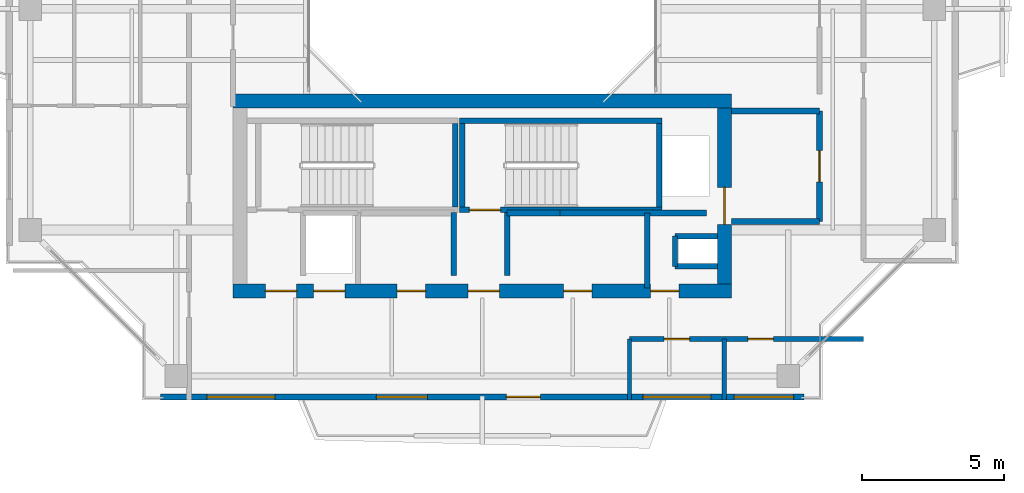
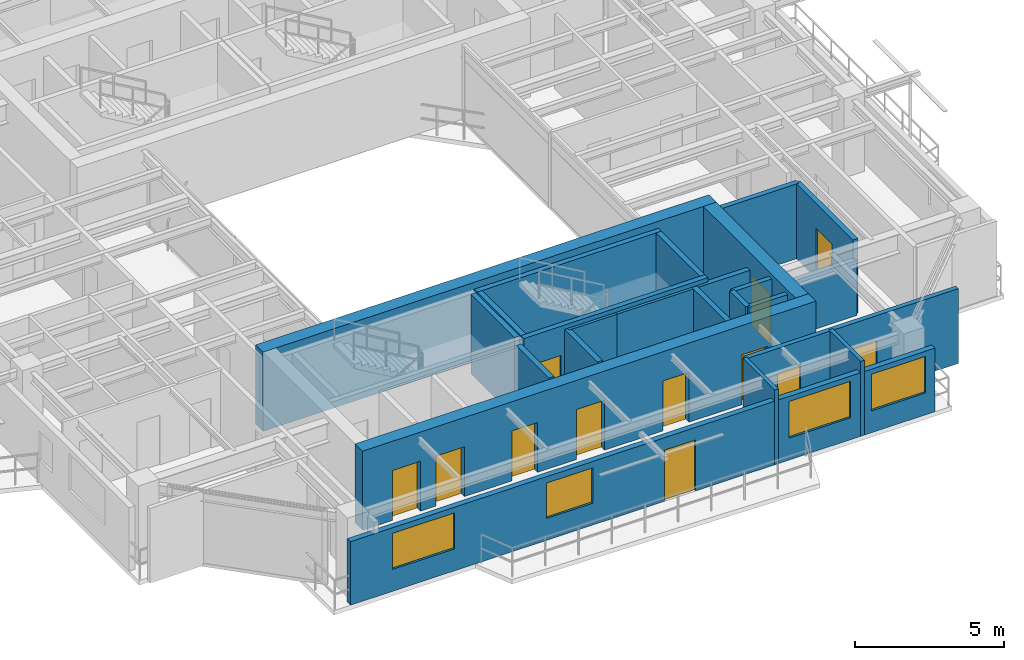
# One storey, part 10 of 16: 23 walls, 12 doors, 4 windows, 16 openings.
"""IFC4 building model written with IfcOpenShell, lengths in metres."""

from ifc_helpers import new_model, si_unit, direction, frame, frame_2d, origin, place, context, subcontext, project, spatial, rectangle, extrude, source, transform, mapped, material, layer, layer_set, type_object, element, fill, save


model = new_model("IFC4")

# Units and contexts
model_context = context("Model", 3, precision=1e-05, world=origin(), true_north=direction((0.0, 1.0)))
body_context = subcontext(model_context, "Body", "Model", "MODEL_VIEW")
ifc_project = project(units=[si_unit("LENGTHUNIT", "METRE"), si_unit("AREAUNIT", "SQUARE_METRE"), si_unit("VOLUMEUNIT", "CUBIC_METRE"), si_unit("PLANEANGLEUNIT", "RADIAN"), si_unit("MASSUNIT", "GRAM", prefix="KILO"), si_unit("THERMODYNAMICTEMPERATUREUNIT", "KELVIN"), si_unit("POWERUNIT", "WATT")], contexts=[model_context])

# Site, building, storey
site_placement = place(None, origin())
site = spatial("IfcSite", under=ifc_project, at=site_placement, CompositionType="ELEMENT")
building_placement = place(site_placement, origin())
building = spatial("IfcBuilding", under=site, at=building_placement, Name="Qiaomeng Ring Towers", CompositionType="ELEMENT")
storey_placement = place(building_placement, frame((0.0, 0.0, 197.0)))
storey = spatial("IfcBuildingStorey", under=building, at=storey_placement, Name="L57", CompositionType="ELEMENT", Elevation=197.0)

# Wall, openings, windows, door
ifc_material_1 = material(Name="Precast concrete C40", Category="concrete")
ifc_layer_1 = layer(ifc_material_1, 0.219970703125, Name="Precast concrete C40")
ifc_layer_set_1 = layer_set([ifc_layer_1], Name="Precast concrete C40")
wall_type_1 = type_object("IfcWallType", Name="ARC-WL-EW2", PredefinedType="STANDARD", material=ifc_layer_set_1)
wall_1_placement = place(storey_placement, frame((7.64990234375, 6.31005859375, 0.0), z_axis=(0.0, 0.0, 1.0), x_axis=(1.0, 0.0, 0.0)))
wall_1 = element("IfcWall", 1, at=wall_1_placement, inside=storey, type_object=wall_type_1, Name="L57 Tower 1 S Exterior Wall", PredefinedType="STANDARD", context=body_context, shape_type="SweptSolid", body=[
    extrude(rectangle(XDim=22.7001953125, YDim=0.219970703125, at=frame_2d((11.35009765625, 0.0))), origin(), (0.0, 0.0, 1.0), 2.610107421875),
])
opening_1_placement = place(wall_1_placement, frame((12.199951171875, 0.0, 0.0)))
opening_1 = element("IfcOpeningElement", 2, at=opening_1_placement, cuts=wall_1, Name="Opening BD1", PredefinedType="OPENING", context=body_context, shape_type="SweptSolid", body=[
    extrude(rectangle(XDim=1.199951171875, YDim=2.10009765625, at=frame_2d((0.60009765625, 1.050048828125))), frame((0.0, 0.119873046875, 0.0), z_axis=(0.0, -1.0, 0.0), x_axis=(1.0, 0.0, 0.0)), (0.0, 0.0, 1.0), 0.239990234375),
])
opening_2_placement = place(wall_1_placement, frame((1.636962890625, 0.0, 0.89990234375)))
opening_2 = element("IfcOpeningElement", 3, at=opening_2_placement, cuts=wall_1, Name="Opening WN6", PredefinedType="OPENING", context=body_context, shape_type="SweptSolid", body=[
    extrude(rectangle(XDim=2.39990234375, YDim=1.47998046875, at=frame_2d((1.199951171875, 0.739990234375))), frame((0.0, 0.119873046875, 0.0), z_axis=(0.0, -1.0, 0.0), x_axis=(1.0, 0.0, 0.0)), (0.0, 0.0, 1.0), 0.239990234375),
])
opening_3_placement = place(wall_1_placement, frame((7.612060546875, 0.0, 0.89990234375)))
opening_3 = element("IfcOpeningElement", 4, at=opening_3_placement, cuts=wall_1, Name="Opening WN1", PredefinedType="OPENING", context=body_context, shape_type="SweptSolid", body=[
    extrude(rectangle(XDim=1.800048828125, YDim=1.449951171875, at=frame_2d((0.89990234375, 0.72509765625))), frame((0.0, 0.119873046875, 0.0), z_axis=(0.0, -1.0, 0.0), x_axis=(1.0, 0.0, 0.0)), (0.0, 0.0, 1.0), 0.239990234375),
])
opening_4_placement = place(wall_1_placement, frame((20.237548828125, 0.0, 0.89990234375)))
opening_4 = element("IfcOpeningElement", 5, at=opening_4_placement, cuts=wall_1, Name="Opening WN4", PredefinedType="OPENING", context=body_context, shape_type="SweptSolid", body=[
    extrude(rectangle(XDim=2.10009765625, YDim=1.5, at=frame_2d((1.050048828125, 0.75))), frame((0.0, 0.119873046875, 0.0), z_axis=(0.0, -1.0, 0.0), x_axis=(1.0, 0.0, 0.0)), (0.0, 0.0, 1.0), 0.239990234375),
])
opening_5_placement = place(wall_1_placement, frame((17.02001953125, 0.0, 0.89990234375)))
opening_5 = element("IfcOpeningElement", 6, at=opening_5_placement, cuts=wall_1, Name="Opening WN6", PredefinedType="OPENING", context=body_context, shape_type="SweptSolid", body=[
    extrude(rectangle(XDim=2.39990234375, YDim=1.5, at=frame_2d((1.199951171875, 0.75))), frame((0.0, 0.119873046875, 0.0), z_axis=(0.0, -1.0, 0.0), x_axis=(1.0, 0.0, 0.0)), (0.0, 0.0, 1.0), 0.239990234375),
])
ifc_material_2 = material(Name="Low-E dark-grey laminated double glazing", Category="glass")
window_type_1 = type_object("IfcWindowType", Name="ARC-WN-4", PartitioningType="TRIPLE_PANEL_VERTICAL", PredefinedType="WINDOW", material=ifc_material_2)
shared_shape_1 = source(origin(), body_context, "Body", "SweptSolid", [
    extrude(rectangle(XDim=2.10009765625, YDim=1.5, at=frame_2d((1.050048828125, 0.75))), frame((0.0, 0.030029296875, 0.0), z_axis=(0.0, -1.0, 0.0), x_axis=(1.0, 0.0, 0.0)), (0.0, 0.0, 1.0), 0.06005859375),
])
window_1_placement = place(opening_4_placement, origin())
window_1 = element("IfcWindow", 7, at=window_1_placement, inside=storey, type_object=window_type_1, Name="L57 Exterior Window WN4", OverallHeight=1.5, OverallWidth=2.10009765625, PartitioningType="TRIPLE_PANEL_VERTICAL", PredefinedType="WINDOW", context=body_context, shape_type="MappedRepresentation", body=[
    mapped(shared_shape_1, transform((0.0, 0.0, 0.0), x_axis=(1.0, 0.0, 0.0), y_axis=(0.0, 1.0, 0.0), z_axis=(0.0, 0.0, 1.0), scale=1.0)),
])
fill(opening_4, window_1)
window_type_2 = type_object("IfcWindowType", Name="ARC-WN-1", PartitioningType="DOUBLE_PANEL_VERTICAL", PredefinedType="WINDOW", material=ifc_material_2)
shared_shape_2 = source(origin(), body_context, "Body", "SweptSolid", [
    extrude(rectangle(XDim=1.800048828125, YDim=1.449951171875, at=frame_2d((0.89990234375, 0.72509765625))), frame((0.0, 0.030029296875, 0.0), z_axis=(0.0, -1.0, 0.0), x_axis=(1.0, 0.0, 0.0)), (0.0, 0.0, 1.0), 0.06005859375),
])
window_2_placement = place(opening_3_placement, origin())
window_2 = element("IfcWindow", 8, at=window_2_placement, inside=storey, type_object=window_type_2, Name="L57 Exterior Window WN1", OverallHeight=1.449951171875, OverallWidth=1.800048828125, PartitioningType="DOUBLE_PANEL_VERTICAL", PredefinedType="WINDOW", context=body_context, shape_type="MappedRepresentation", body=[
    mapped(shared_shape_2, transform((0.0, 0.0, 0.0), x_axis=(1.0, 0.0, 0.0), y_axis=(0.0, 1.0, 0.0), z_axis=(0.0, 0.0, 1.0), scale=1.0)),
])
fill(opening_3, window_2)
window_type_3 = type_object("IfcWindowType", Name="ARC-WN-6", PartitioningType="TRIPLE_PANEL_VERTICAL", PredefinedType="WINDOW", material=ifc_material_2)
shared_shape_3 = source(origin(), body_context, "Body", "SweptSolid", [
    extrude(rectangle(XDim=2.39990234375, YDim=1.47998046875, at=frame_2d((1.199951171875, 0.739990234375))), frame((0.0, 0.030029296875, 0.0), z_axis=(0.0, -1.0, 0.0), x_axis=(1.0, 0.0, 0.0)), (0.0, 0.0, 1.0), 0.06005859375),
])
window_3_placement = place(opening_2_placement, origin())
window_3 = element("IfcWindow", 9, at=window_3_placement, inside=storey, type_object=window_type_3, Name="L57 Exterior Window WN6", OverallHeight=1.47998046875, OverallWidth=2.39990234375, PartitioningType="TRIPLE_PANEL_VERTICAL", PredefinedType="WINDOW", context=body_context, shape_type="MappedRepresentation", body=[
    mapped(shared_shape_3, transform((0.0, 0.0, 0.0), x_axis=(1.0, 0.0, 0.0), y_axis=(0.0, 1.0, 0.0), z_axis=(0.0, 0.0, 1.0), scale=1.0)),
])
fill(opening_2, window_3)
door_type_1 = type_object("IfcDoorType", Name="ARC-DR-BD1", OperationType="NOTDEFINED", PredefinedType="DOOR", material=ifc_material_2)
shared_shape_4 = source(origin(), body_context, "Body", "SweptSolid", [
    extrude(rectangle(XDim=1.199951171875, YDim=2.10009765625, at=frame_2d((0.60009765625, 1.050048828125))), frame((0.0, 0.02490234375, 0.0), z_axis=(0.0, -1.0, 0.0), x_axis=(1.0, 0.0, 0.0)), (0.0, 0.0, 1.0), 0.050048828125),
])
door_1_placement = place(opening_1_placement, frame((1.199951171875, 0.0, 0.0), z_axis=(0.0, 0.0, 1.0), x_axis=(-1.0, 0.0, 0.0)))
door_1 = element("IfcDoor", 10, at=door_1_placement, inside=storey, type_object=door_type_1, Name="L57 S Balcony Glazed Door", OperationType="SINGLE_SWING_LEFT", OverallHeight=2.10009765625, OverallWidth=1.199951171875, PredefinedType="DOOR", context=body_context, shape_type="MappedRepresentation", body=[
    mapped(shared_shape_4, transform((0.0, 0.0, 0.0), x_axis=(1.0, 0.0, 0.0), y_axis=(0.0, 1.0, 0.0), z_axis=(0.0, 0.0, 1.0), scale=1.0)),
])
fill(opening_1, door_1)
shared_shape_5 = source(origin(), body_context, "Body", "SweptSolid", [
    extrude(rectangle(XDim=2.39990234375, YDim=1.5, at=frame_2d((1.199951171875, 0.75))), frame((0.0, 0.030029296875, 0.0), z_axis=(0.0, -1.0, 0.0), x_axis=(1.0, 0.0, 0.0)), (0.0, 0.0, 1.0), 0.06005859375),
])
window_4_placement = place(opening_5_placement, origin())
window_4 = element("IfcWindow", 11, at=window_4_placement, inside=storey, type_object=window_type_3, Name="L57 Exterior Window WN6", OverallHeight=1.5, OverallWidth=2.39990234375, PartitioningType="TRIPLE_PANEL_VERTICAL", PredefinedType="WINDOW", context=body_context, shape_type="MappedRepresentation", body=[
    mapped(shared_shape_5, transform((0.0, 0.0, 0.0), x_axis=(1.0, 0.0, 0.0), y_axis=(0.0, 1.0, 0.0), z_axis=(0.0, 0.0, 1.0), scale=1.0)),
])
fill(opening_5, window_4)

# Walls
ifc_material_3 = material(Name="Autoclaved aerated concrete block", Category="concrete")
ifc_layer_2 = layer(ifc_material_3, 0.199951171875, Name="Autoclaved aerated concrete block")
ifc_layer_set_2 = layer_set([ifc_layer_2], Name="Autoclaved aerated concrete block")
wall_type_2 = type_object("IfcWallType", Name="ARC-WL-PW1", PredefinedType="PARTITIONING", material=ifc_layer_set_2)
wall_2_placement = place(storey_placement, frame((27.800048828125, 16.39990234375, 0.0), z_axis=(0.0, 0.0, 1.0), x_axis=(1.0, 0.0, 0.0)))
element("IfcWall", 12, at=wall_2_placement, inside=storey, type_object=wall_type_2, Name="L57 Interior Wall PW1", PredefinedType="PARTITIONING", context=body_context, shape_type="SweptSolid", body=[
    extrude(rectangle(XDim=3.099853515625, YDim=0.199951171875, at=frame_2d((1.5498046875, 0.0))), origin(), (0.0, 0.0, 1.0), 3.070068359375),
])
wall_3_placement = place(storey_placement, frame((27.800048828125, 12.5, 0.0), z_axis=(0.0, 0.0, 1.0), x_axis=(1.0, 0.0, 0.0)))
element("IfcWall", 13, at=wall_3_placement, inside=storey, type_object=wall_type_2, Name="L57 Interior Wall PW1", PredefinedType="PARTITIONING", context=body_context, shape_type="SweptSolid", body=[
    extrude(rectangle(XDim=3.099853515625, YDim=0.199951171875, at=frame_2d((1.5498046875, 0.0))), origin(), (0.0, 0.0, 1.0), 2.264892578125),
])

# Wall, opening, door
wall_4_placement = place(storey_placement, frame((30.89990234375, 12.5, 0.0), z_axis=(0.0, 0.0, 1.0), x_axis=(0.0, 1.0, 0.0)))
wall_4 = element("IfcWall", 14, at=wall_4_placement, inside=storey, type_object=wall_type_2, Name="L57 Interior Wall PW1", PredefinedType="PARTITIONING", context=body_context, shape_type="SweptSolid", body=[
    extrude(rectangle(XDim=3.89990234375, YDim=0.199951171875, at=frame_2d((1.949951171875, 0.0))), origin(), (0.0, 0.0, 1.0), 3.070068359375),
])
opening_6_placement = place(wall_4_placement, frame((1.39990234375, 0.0, 0.0)))
opening_6 = element("IfcOpeningElement", 15, at=opening_6_placement, cuts=wall_4, Name="Opening FD3", PredefinedType="OPENING", context=body_context, shape_type="SweptSolid", body=[
    extrude(rectangle(XDim=1.10009765625, YDim=2.050048828125, at=frame_2d((0.550048828125, 1.02490234375))), frame((0.0, 0.10986328125, 0.0), z_axis=(0.0, -1.0, 0.0), x_axis=(1.0, 0.0, 0.0)), (0.0, 0.0, 1.0), 0.219970703125),
])
ifc_material_4 = material(Name="Galvanised steel", Category="steel")
door_type_2 = type_object("IfcDoorType", Name="ARC-DR-FD3", OperationType="NOTDEFINED", PredefinedType="DOOR", material=ifc_material_4)
shared_shape_6 = source(origin(), body_context, "Body", "SweptSolid", [
    extrude(rectangle(XDim=1.10009765625, YDim=2.050048828125, at=frame_2d((0.550048828125, 1.02490234375))), frame((0.0, 0.02490234375, 0.0), z_axis=(0.0, -1.0, 0.0), x_axis=(1.0, 0.0, 0.0)), (0.0, 0.0, 1.0), 0.050048828125),
])
door_2_placement = place(opening_6_placement, origin())
door_2 = element("IfcDoor", 16, at=door_2_placement, inside=storey, type_object=door_type_2, Name="L57 South FF Lobby Door", OperationType="SINGLE_SWING_LEFT", OverallHeight=2.050048828125, OverallWidth=1.10009765625, PredefinedType="DOOR", context=body_context, shape_type="MappedRepresentation", body=[
    mapped(shared_shape_6, transform((0.0, 0.0, 0.0), x_axis=(1.0, 0.0, 0.0), y_axis=(0.0, 1.0, 0.0), z_axis=(0.0, 0.0, 1.0), scale=1.0)),
])
fill(opening_6, door_2)

# Walls
for number, where, z_axis, x_axis, name in (
    (17, (18.0, 10.60009765625, 0.0), (0.0, 0.0, 1.0), (0.0, 1.0, 0.0), "L57 Interior Wall PW1"),
    (18, (19.8798828125, 10.60009765625, 0.0), (0.0, 0.0, 1.0), (0.0, 1.0, 0.0), "L57 Interior Wall PW1"),
):
    element("IfcWall", number, at=place(storey_placement, frame(where, z_axis=z_axis, x_axis=x_axis)), inside=storey, type_object=wall_type_2, Name=name, PredefinedType="PARTITIONING", context=body_context, shape_type="SweptSolid", body=[
        extrude(rectangle(XDim=2.2099609375, YDim=0.199951171875, at=frame_2d((1.10498046875, 0.0))), origin(), (0.0, 0.0, 1.0), 3.070068359375),
    ])
wall_5_placement = place(storey_placement, frame((24.820068359375, 10.14990234375, 0.0), z_axis=(0.0, 0.0, 1.0), x_axis=(0.0, 1.0, 0.0)))
element("IfcWall", 19, at=wall_5_placement, inside=storey, type_object=wall_type_2, Name="L57 Interior Wall PW1", PredefinedType="PARTITIONING", context=body_context, shape_type="SweptSolid", body=[
    extrude(rectangle(XDim=2.650146484375, YDim=0.199951171875, at=frame_2d((1.3251953125, 0.0))), origin(), (0.0, 0.0, 1.0), 3.070068359375),
])
wall_6_placement = place(storey_placement, frame((19.8798828125, 12.800048828125, 0.0), z_axis=(0.0, 0.0, 1.0), x_axis=(1.0, 0.0, 0.0)))
element("IfcWall", 20, at=wall_6_placement, inside=storey, type_object=wall_type_2, Name="L57 Interior Wall PW1", PredefinedType="PARTITIONING", context=body_context, shape_type="SweptSolid", body=[
    extrude(rectangle(XDim=1.8701171875, YDim=0.199951171875, at=frame_2d((0.93505859375, 0.0))), origin(), (0.0, 0.0, 1.0), 3.070068359375),
])
wall_7_placement = place(storey_placement, frame((21.75, 12.800048828125, 0.0), z_axis=(0.0, 0.0, 1.0), x_axis=(1.0, 0.0, 0.0)))
element("IfcWall", 21, at=wall_7_placement, inside=storey, type_object=wall_type_2, Name="L57 Interior Wall PW1", PredefinedType="PARTITIONING", context=body_context, shape_type="SweptSolid", body=[
    extrude(rectangle(XDim=5.169921875, YDim=0.199951171875, at=frame_2d((2.5849609375, 0.0))), origin(), (0.0, 0.0, 1.0), 3.070068359375),
])

# Wall, openings, doors
ifc_layer_3 = layer(ifc_material_3, 0.179931640625, Name="Autoclaved aerated concrete block")
ifc_layer_set_3 = layer_set([ifc_layer_3], Name="Autoclaved aerated concrete block")
wall_type_3 = type_object("IfcWallType", Name="ARC-WL-PW2", PredefinedType="PARTITIONING", material=ifc_layer_set_3)
wall_8_placement = place(storey_placement, frame((24.199951171875, 8.35009765625, 0.0), z_axis=(0.0, 0.0, 1.0), x_axis=(1.0, 0.0, 0.0)))
wall_8 = element("IfcWall", 22, at=wall_8_placement, inside=storey, type_object=wall_type_3, Name="L57 Interior Wall PW2", PredefinedType="PARTITIONING", context=body_context, shape_type="SweptSolid", body=[
    extrude(rectangle(XDim=8.25, YDim=0.179931640625, at=frame_2d((4.125, 0.0))), origin(), (0.0, 0.0, 1.0), 3.070068359375),
])
opening_7_placement = place(wall_8_placement, frame((1.219970703125, 0.0, 0.0)))
opening_7 = element("IfcOpeningElement", 23, at=opening_7_placement, cuts=wall_8, Name="Opening ID1", PredefinedType="OPENING", context=body_context, shape_type="SweptSolid", body=[
    extrude(rectangle(XDim=0.89990234375, YDim=2.050048828125, at=frame_2d((0.449951171875, 1.02490234375))), frame((0.0, 0.099853515625, 0.0), z_axis=(0.0, -1.0, 0.0), x_axis=(1.0, 0.0, 0.0)), (0.0, 0.0, 1.0), 0.199951171875),
])
opening_8_placement = place(wall_8_placement, frame((4.177001953125, 0.0, 0.0)))
opening_8 = element("IfcOpeningElement", 24, at=opening_8_placement, cuts=wall_8, Name="Opening ID1", PredefinedType="OPENING", context=body_context, shape_type="SweptSolid", body=[
    extrude(rectangle(XDim=0.89990234375, YDim=2.050048828125, at=frame_2d((0.449951171875, 1.02490234375))), frame((0.0, 0.099853515625, 0.0), z_axis=(0.0, -1.0, 0.0), x_axis=(1.0, 0.0, 0.0)), (0.0, 0.0, 1.0), 0.199951171875),
])
ifc_material_5 = material(Name="Engineered oak timber", Category="wood")
door_type_3 = type_object("IfcDoorType", Name="ARC-DR-ID1", OperationType="NOTDEFINED", PredefinedType="DOOR", material=ifc_material_5)
shared_shape_7 = source(origin(), body_context, "Body", "SweptSolid", [
    extrude(rectangle(XDim=0.89990234375, YDim=2.050048828125, at=frame_2d((0.449951171875, 1.02490234375))), frame((0.0, 0.02490234375, 0.0), z_axis=(0.0, -1.0, 0.0), x_axis=(1.0, 0.0, 0.0)), (0.0, 0.0, 1.0), 0.050048828125),
])
door_3_placement = place(opening_7_placement, origin())
door_3 = element("IfcDoor", 25, at=door_3_placement, inside=storey, type_object=door_type_3, Name="L57 Door ID1", OperationType="SINGLE_SWING_RIGHT", OverallHeight=2.050048828125, OverallWidth=0.89990234375, PredefinedType="DOOR", context=body_context, shape_type="MappedRepresentation", body=[
    mapped(shared_shape_7, transform((0.0, 0.0, 0.0), x_axis=(1.0, 0.0, 0.0), y_axis=(0.0, 1.0, 0.0), z_axis=(0.0, 0.0, 1.0), scale=1.0)),
])
fill(opening_7, door_3)
door_4_placement = place(opening_8_placement, origin())
door_4 = element("IfcDoor", 26, at=door_4_placement, inside=storey, type_object=door_type_3, Name="L57 Door ID1", OperationType="SINGLE_SWING_LEFT", OverallHeight=2.050048828125, OverallWidth=0.89990234375, PredefinedType="DOOR", context=body_context, shape_type="MappedRepresentation", body=[
    mapped(shared_shape_7, transform((0.0, 0.0, 0.0), x_axis=(1.0, 0.0, 0.0), y_axis=(0.0, 1.0, 0.0), z_axis=(0.0, 0.0, 1.0), scale=1.0)),
])
fill(opening_8, door_4)

# Walls
ifc_material_6 = material(Name="Gypsum fireboard steel-stud partition", Category="steel")
ifc_layer_4 = layer(ifc_material_6, 0.14990234375, Name="Gypsum fireboard steel-stud partition")
ifc_layer_set_4 = layer_set([ifc_layer_4], Name="Gypsum fireboard steel-stud partition")
wall_type_4 = type_object("IfcWallType", Name="ARC-WL-PW3", PredefinedType="PARTITIONING", material=ifc_layer_set_4)
for number, where, z_axis, x_axis, name in (
    (27, (24.199951171875, 6.199951171875, 0.0), (0.0, 0.0, 1.0), (0.0, 1.0, 0.0), "L57 Interior Wall PW3"),
    (28, (27.5400390625, 6.199951171875, 0.0), (0.0, 0.0, 1.0), (0.0, 1.0, 0.0), "L57 Interior Wall PW3"),
):
    element("IfcWall", number, at=place(storey_placement, frame(where, z_axis=z_axis, x_axis=x_axis)), inside=storey, type_object=wall_type_4, Name=name, PredefinedType="PARTITIONING", context=body_context, shape_type="SweptSolid", body=[
        extrude(rectangle(XDim=2.150146484375, YDim=0.14990234375, at=frame_2d((1.0751953125, 0.0))), origin(), (0.0, 0.0, 1.0), 3.070068359375),
    ])
ifc_material_7 = material(Name="Concrete C40", Category="concrete")
ifc_layer_5 = layer(ifc_material_7, 0.199951171875, Name="Concrete C40")
ifc_layer_set_5 = layer_set([ifc_layer_5], Name="Concrete C40")
wall_type_5 = type_object("IfcWallType", Name="STR-WL-STSHAFT", PredefinedType="SHEAR", material=ifc_layer_set_5)
wall_9_placement = place(storey_placement, frame((25.800048828125, 10.919921875, 0.0), z_axis=(0.0, 0.0, 1.0), x_axis=(0.0, 1.0, 0.0)))
element("IfcWall", 29, at=wall_9_placement, inside=storey, type_object=wall_type_5, Name="L57 Riser RSR1 West Shaft Wall S", PredefinedType="SHEAR", context=body_context, shape_type="SweptSolid", body=[
    extrude(rectangle(XDim=1.06005859375, YDim=0.179931640625, at=frame_2d((0.530029296875, 0.0))), origin(), (0.0, 0.0, 1.0), 3.070068359375),
])
for number, where, z_axis, x_axis, name in (
    (30, (25.800048828125, 11.97998046875, 0.0), (0.0, 0.0, 1.0), (1.0, 0.0, 0.0), "L57 Riser RSR1 North Shaft Wall S"),
    (31, (25.800048828125, 10.919921875, 0.0), (0.0, 0.0, 1.0), (1.0, 0.0, 0.0), "L57 Riser RSR1 South Shaft Wall S"),
):
    element("IfcWall", number, at=place(storey_placement, frame(where, z_axis=z_axis, x_axis=x_axis)), inside=storey, type_object=wall_type_5, Name=name, PredefinedType="SHEAR", context=body_context, shape_type="SweptSolid", body=[
        extrude(rectangle(XDim=1.5, YDim=0.179931640625, at=frame_2d((0.75, 0.0))), origin(), (0.0, 0.0, 1.0), 3.070068359375),
    ])
wall_10_placement = place(storey_placement, frame((18.050048828125, 13.010009765625, 0.0), z_axis=(0.0, 0.0, 1.0), x_axis=(0.0, 1.0, 0.0)))
element("IfcWall", 32, at=wall_10_placement, inside=storey, type_object=wall_type_5, Name="L57 Stair ST3 East Shaft Shear Wall", PredefinedType="SHEAR", context=body_context, shape_type="SweptSolid", body=[
    extrude(rectangle(XDim=2.93994140625, YDim=0.199951171875, at=frame_2d((1.469970703125, 0.0))), origin(), (0.0, 0.0, 1.0), 3.25),
])

# Wall, opening, door
wall_11_placement = place(storey_placement, frame((18.199951171875, 12.909912109375, 0.0), z_axis=(0.0, 0.0, 1.0), x_axis=(1.0, 0.0, 0.0)))
wall_11 = element("IfcWall", 33, at=wall_11_placement, inside=storey, type_object=wall_type_5, Name="L57 Stair ST4 South Shaft Shear Wall", PredefinedType="SHEAR", context=body_context, shape_type="SweptSolid", body=[
    extrude(rectangle(XDim=7.150146484375, YDim=0.199951171875, at=frame_2d((3.5751953125, 0.0))), origin(), (0.0, 0.0, 1.0), 3.25),
])
opening_9_placement = place(wall_11_placement, frame((0.35009765625, 0.0, 0.0)))
opening_9 = element("IfcOpeningElement", 34, at=opening_9_placement, cuts=wall_11, Name="Opening FD3", PredefinedType="OPENING", context=body_context, shape_type="SweptSolid", body=[
    extrude(rectangle(XDim=1.10009765625, YDim=2.050048828125, at=frame_2d((0.550048828125, 1.02490234375))), frame((0.0, 0.10986328125, 0.0), z_axis=(0.0, -1.0, 0.0), x_axis=(1.0, 0.0, 0.0)), (0.0, 0.0, 1.0), 0.219970703125),
])
door_5_placement = place(opening_9_placement, frame((1.10009765625, 0.0, 0.0), z_axis=(0.0, 0.0, 1.0), x_axis=(-1.0, 0.0, 0.0)))
door_5 = element("IfcDoor", 35, at=door_5_placement, inside=storey, type_object=door_type_2, Name="L57 Stair ST4 Exit Door", OperationType="SINGLE_SWING_LEFT", OverallHeight=2.050048828125, OverallWidth=1.10009765625, PredefinedType="DOOR", context=body_context, shape_type="MappedRepresentation", body=[
    mapped(shared_shape_6, transform((0.0, 0.0, 0.0), x_axis=(1.0, 0.0, 0.0), y_axis=(0.0, 1.0, 0.0), z_axis=(0.0, 0.0, 1.0), scale=1.0)),
])
fill(opening_9, door_5)

# Walls
wall_12_placement = place(storey_placement, frame((18.199951171875, 16.050048828125, 0.0), z_axis=(0.0, 0.0, 1.0), x_axis=(1.0, 0.0, 0.0)))
element("IfcWall", 36, at=wall_12_placement, inside=storey, type_object=wall_type_5, Name="L57 Stair ST4 North Shaft Shear Wall", PredefinedType="SHEAR", context=body_context, shape_type="SweptSolid", body=[
    extrude(rectangle(XDim=7.150146484375, YDim=0.199951171875, at=frame_2d((3.5751953125, 0.0))), origin(), (0.0, 0.0, 1.0), 3.25),
])
for number, where, z_axis, x_axis, name in (
    (37, (18.300048828125, 13.010009765625, 0.0), (0.0, 0.0, 1.0), (0.0, 1.0, 0.0), "L57 Stair ST4 West Shaft Shear Wall"),
    (38, (25.25, 13.010009765625, 0.0), (0.0, 0.0, 1.0), (0.0, 1.0, 0.0), "L57 Stair ST4 East Shaft Shear Wall"),
):
    element("IfcWall", number, at=place(storey_placement, frame(where, z_axis=z_axis, x_axis=x_axis)), inside=storey, type_object=wall_type_5, Name=name, PredefinedType="SHEAR", context=body_context, shape_type="SweptSolid", body=[
        extrude(rectangle(XDim=2.93994140625, YDim=0.199951171875, at=frame_2d((1.469970703125, 0.0))), origin(), (0.0, 0.0, 1.0), 3.25),
    ])

# Wall, openings, doors
ifc_layer_6 = layer(ifc_material_7, 0.5, Name="Concrete C40")
ifc_layer_set_6 = layer_set([ifc_layer_6], Name="Concrete C40")
wall_type_6 = type_object("IfcWallType", Name="STR-WL-SW3", PredefinedType="SHEAR", material=ifc_layer_set_6)
wall_13_placement = place(storey_placement, frame((10.199951171875, 10.050048828125, 0.0), z_axis=(0.0, 0.0, 1.0), x_axis=(1.0, 0.0, 0.0)))
wall_13 = element("IfcWall", 39, at=wall_13_placement, inside=storey, type_object=wall_type_6, Name="L57 T1SC south core shear wall", PredefinedType="SHEAR", context=body_context, shape_type="SweptSolid", body=[
    extrude(rectangle(XDim=17.60009765625, YDim=0.5, at=frame_2d((8.800048828125, 0.0))), origin(), (0.0, 0.0, 1.0), 3.25),
])
opening_10_placement = place(wall_13_placement, frame((1.14990234375, 0.0, 0.0)))
opening_10 = element("IfcOpeningElement", 40, at=opening_10_placement, cuts=wall_13, Name="Opening FD3", PredefinedType="OPENING", context=body_context, shape_type="SweptSolid", body=[
    extrude(rectangle(XDim=1.10009765625, YDim=2.050048828125, at=frame_2d((0.550048828125, 1.02490234375))), frame((0.0, 0.260009765625, 0.0), z_axis=(0.0, -1.0, 0.0), x_axis=(1.0, 0.0, 0.0)), (0.0, 0.0, 1.0), 0.52001953125),
])
opening_11_placement = place(wall_13_placement, frame((8.300048828125, 0.0, 0.0)))
opening_11 = element("IfcOpeningElement", 41, at=opening_11_placement, cuts=wall_13, Name="Opening FD3", PredefinedType="OPENING", context=body_context, shape_type="SweptSolid", body=[
    extrude(rectangle(XDim=1.10009765625, YDim=2.050048828125, at=frame_2d((0.550048828125, 1.02490234375))), frame((0.0, 0.260009765625, 0.0), z_axis=(0.0, -1.0, 0.0), x_axis=(1.0, 0.0, 0.0)), (0.0, 0.0, 1.0), 0.52001953125),
])
opening_12_placement = place(wall_13_placement, frame((2.85009765625, 0.0, 0.0)))
opening_12 = element("IfcOpeningElement", 42, at=opening_12_placement, cuts=wall_13, Name="Opening LD1", PredefinedType="OPENING", context=body_context, shape_type="SweptSolid", body=[
    extrude(rectangle(XDim=1.10009765625, YDim=2.050048828125, at=frame_2d((0.550048828125, 1.02490234375))), frame((0.0, 0.260009765625, 0.0), z_axis=(0.0, -1.0, 0.0), x_axis=(1.0, 0.0, 0.0)), (0.0, 0.0, 1.0), 0.52001953125),
])
opening_13_placement = place(wall_13_placement, frame((5.800048828125, 0.0, 0.0)))
opening_13 = element("IfcOpeningElement", 43, at=opening_13_placement, cuts=wall_13, Name="Opening FD1", PredefinedType="OPENING", context=body_context, shape_type="SweptSolid", body=[
    extrude(rectangle(XDim=1.0, YDim=2.050048828125, at=frame_2d((0.5, 1.02490234375))), frame((0.0, 0.260009765625, 0.0), z_axis=(0.0, -1.0, 0.0), x_axis=(1.0, 0.0, 0.0)), (0.0, 0.0, 1.0), 0.52001953125),
])
opening_14_placement = place(wall_13_placement, frame((14.739990234375, 0.0, 0.0)))
opening_14 = element("IfcOpeningElement", 44, at=opening_14_placement, cuts=wall_13, Name="Opening FD1", PredefinedType="OPENING", context=body_context, shape_type="SweptSolid", body=[
    extrude(rectangle(XDim=1.0, YDim=2.050048828125, at=frame_2d((0.5, 1.02490234375))), frame((0.0, 0.260009765625, 0.0), z_axis=(0.0, -1.0, 0.0), x_axis=(1.0, 0.0, 0.0)), (0.0, 0.0, 1.0), 0.52001953125),
])
opening_15_placement = place(wall_13_placement, frame((11.669921875, 0.0, 0.0)))
opening_15 = element("IfcOpeningElement", 45, at=opening_15_placement, cuts=wall_13, Name="Opening FD1", PredefinedType="OPENING", context=body_context, shape_type="SweptSolid", body=[
    extrude(rectangle(XDim=1.0, YDim=2.050048828125, at=frame_2d((0.5, 1.02490234375))), frame((0.0, 0.260009765625, 0.0), z_axis=(0.0, -1.0, 0.0), x_axis=(1.0, 0.0, 0.0)), (0.0, 0.0, 1.0), 0.52001953125),
])
door_6_placement = place(opening_10_placement, origin())
door_6 = element("IfcDoor", 46, at=door_6_placement, inside=storey, type_object=door_type_2, Name="L57 Stair ST3 Lobby Door", OperationType="SINGLE_SWING_RIGHT", OverallHeight=2.050048828125, OverallWidth=1.10009765625, PredefinedType="DOOR", context=body_context, shape_type="MappedRepresentation", body=[
    mapped(shared_shape_6, transform((0.0, 0.0, 0.0), x_axis=(1.0, 0.0, 0.0), y_axis=(0.0, 1.0, 0.0), z_axis=(0.0, 0.0, 1.0), scale=1.0)),
])
fill(opening_10, door_6)
door_7_placement = place(opening_11_placement, origin())
door_7 = element("IfcDoor", 47, at=door_7_placement, inside=storey, type_object=door_type_2, Name="L57 Stair ST4 Lobby Door", OperationType="SINGLE_SWING_RIGHT", OverallHeight=2.050048828125, OverallWidth=1.10009765625, PredefinedType="DOOR", context=body_context, shape_type="MappedRepresentation", body=[
    mapped(shared_shape_6, transform((0.0, 0.0, 0.0), x_axis=(1.0, 0.0, 0.0), y_axis=(0.0, 1.0, 0.0), z_axis=(0.0, 0.0, 1.0), scale=1.0)),
])
fill(opening_11, door_7)
ifc_material_8 = material(Name="Stainless steel 316", Category="steel")
door_type_4 = type_object("IfcDoorType", Name="ARC-DR-LD1", OperationType="NOTDEFINED", PredefinedType="DOOR", material=ifc_material_8)
door_8_placement = place(opening_12_placement, origin())
door_8 = element("IfcDoor", 48, at=door_8_placement, inside=storey, type_object=door_type_4, Name="L57 High-Zone Lift LP6 Landing Door", OperationType="SLIDING_TO_RIGHT", OverallHeight=2.050048828125, OverallWidth=1.10009765625, PredefinedType="DOOR", context=body_context, shape_type="MappedRepresentation", body=[
    mapped(shared_shape_6, transform((0.0, 0.0, 0.0), x_axis=(1.0, 0.0, 0.0), y_axis=(0.0, 1.0, 0.0), z_axis=(0.0, 0.0, 1.0), scale=1.0)),
])
fill(opening_12, door_8)
door_type_5 = type_object("IfcDoorType", Name="ARC-DR-FD1", OperationType="NOTDEFINED", PredefinedType="DOOR", material=ifc_material_4)
shared_shape_8 = source(origin(), body_context, "Body", "SweptSolid", [
    extrude(rectangle(XDim=1.0, YDim=2.050048828125, at=frame_2d((0.5, 1.02490234375))), frame((0.0, 0.02490234375, 0.0), z_axis=(0.0, -1.0, 0.0), x_axis=(1.0, 0.0, 0.0)), (0.0, 0.0, 1.0), 0.050048828125),
])
door_9_placement = place(opening_13_placement, origin())
door_9 = element("IfcDoor", 49, at=door_9_placement, inside=storey, type_object=door_type_5, Name="L57 High-Zone Freed Core Room Door", OperationType="SINGLE_SWING_LEFT", OverallHeight=2.050048828125, OverallWidth=1.0, PredefinedType="DOOR", context=body_context, shape_type="MappedRepresentation", body=[
    mapped(shared_shape_8, transform((0.0, 0.0, 0.0), x_axis=(1.0, 0.0, 0.0), y_axis=(0.0, 1.0, 0.0), z_axis=(0.0, 0.0, 1.0), scale=1.0)),
])
fill(opening_13, door_9)
door_10_placement = place(opening_14_placement, origin())
door_10 = element("IfcDoor", 50, at=door_10_placement, inside=storey, type_object=door_type_5, Name="L57 South Electrical Riser Door", OperationType="SINGLE_SWING_LEFT", OverallHeight=2.050048828125, OverallWidth=1.0, PredefinedType="DOOR", context=body_context, shape_type="MappedRepresentation", body=[
    mapped(shared_shape_8, transform((0.0, 0.0, 0.0), x_axis=(1.0, 0.0, 0.0), y_axis=(0.0, 1.0, 0.0), z_axis=(0.0, 0.0, 1.0), scale=1.0)),
])
fill(opening_14, door_10)
door_11_placement = place(opening_15_placement, origin())
door_11 = element("IfcDoor", 51, at=door_11_placement, inside=storey, type_object=door_type_5, Name="L57 South Building Management Office Door", OperationType="SINGLE_SWING_RIGHT", OverallHeight=2.050048828125, OverallWidth=1.0, PredefinedType="DOOR", context=body_context, shape_type="MappedRepresentation", body=[
    mapped(shared_shape_8, transform((0.0, 0.0, 0.0), x_axis=(1.0, 0.0, 0.0), y_axis=(0.0, 1.0, 0.0), z_axis=(0.0, 0.0, 1.0), scale=1.0)),
])
fill(opening_15, door_11)

# Wall
wall_14_placement = place(storey_placement, frame((10.199951171875, 16.75, 0.0), z_axis=(0.0, 0.0, 1.0), x_axis=(1.0, 0.0, 0.0)))
element("IfcWall", 52, at=wall_14_placement, inside=storey, type_object=wall_type_6, Name="L57 T1SC north core shear wall", PredefinedType="SHEAR", context=body_context, shape_type="SweptSolid", body=[
    extrude(rectangle(XDim=17.60009765625, YDim=0.5, at=frame_2d((8.800048828125, 0.0))), origin(), (0.0, 0.0, 1.0), 3.25),
])

# Wall, opening, door
wall_15_placement = place(storey_placement, frame((27.550048828125, 10.300048828125, 0.0), z_axis=(0.0, 0.0, 1.0), x_axis=(0.0, 1.0, 0.0)))
wall_15 = element("IfcWall", 53, at=wall_15_placement, inside=storey, type_object=wall_type_6, Name="L57 T1SC east core shear wall", PredefinedType="SHEAR", context=body_context, shape_type="SweptSolid", body=[
    extrude(rectangle(XDim=6.199951171875, YDim=0.5, at=frame_2d((3.10009765625, 0.0))), origin(), (0.0, 0.0, 1.0), 3.25),
])
opening_16_placement = place(wall_15_placement, frame((2.10009765625, 0.0, 0.0)))
opening_16 = element("IfcOpeningElement", 54, at=opening_16_placement, cuts=wall_15, Name="Opening LD2", PredefinedType="OPENING", context=body_context, shape_type="SweptSolid", body=[
    extrude(rectangle(XDim=1.300048828125, YDim=2.050048828125, at=frame_2d((0.64990234375, 1.02490234375))), frame((0.0, 0.260009765625, 0.0), z_axis=(0.0, -1.0, 0.0), x_axis=(1.0, 0.0, 0.0)), (0.0, 0.0, 1.0), 0.52001953125),
])
door_type_6 = type_object("IfcDoorType", Name="ARC-DR-LD2", OperationType="NOTDEFINED", PredefinedType="DOOR", material=ifc_material_8)
shared_shape_9 = source(origin(), body_context, "Body", "SweptSolid", [
    extrude(rectangle(XDim=1.300048828125, YDim=2.050048828125, at=frame_2d((0.64990234375, 1.02490234375))), frame((0.0, 0.02490234375, 0.0), z_axis=(0.0, -1.0, 0.0), x_axis=(1.0, 0.0, 0.0)), (0.0, 0.0, 1.0), 0.050048828125),
])
door_12_placement = place(opening_16_placement, origin())
door_12 = element("IfcDoor", 55, at=door_12_placement, inside=storey, type_object=door_type_6, Name="L57 Firefighting Lift FL2 Landing Door", OperationType="SLIDING_TO_RIGHT", OverallHeight=2.050048828125, OverallWidth=1.300048828125, PredefinedType="DOOR", context=body_context, shape_type="MappedRepresentation", body=[
    mapped(shared_shape_9, transform((0.0, 0.0, 0.0), x_axis=(1.0, 0.0, 0.0), y_axis=(0.0, 1.0, 0.0), z_axis=(0.0, 0.0, 1.0), scale=1.0)),
])
fill(opening_16, door_12)

save(model, "model.ifc")
